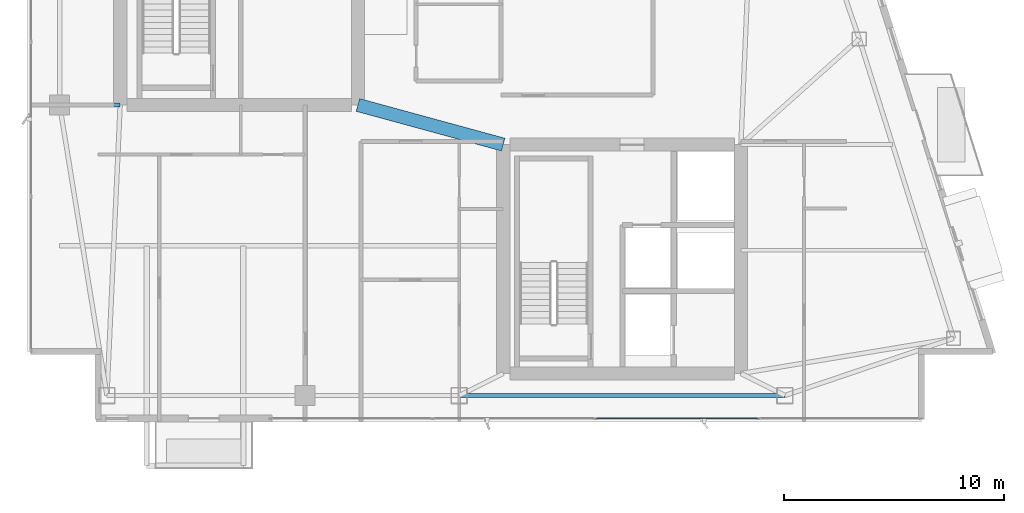
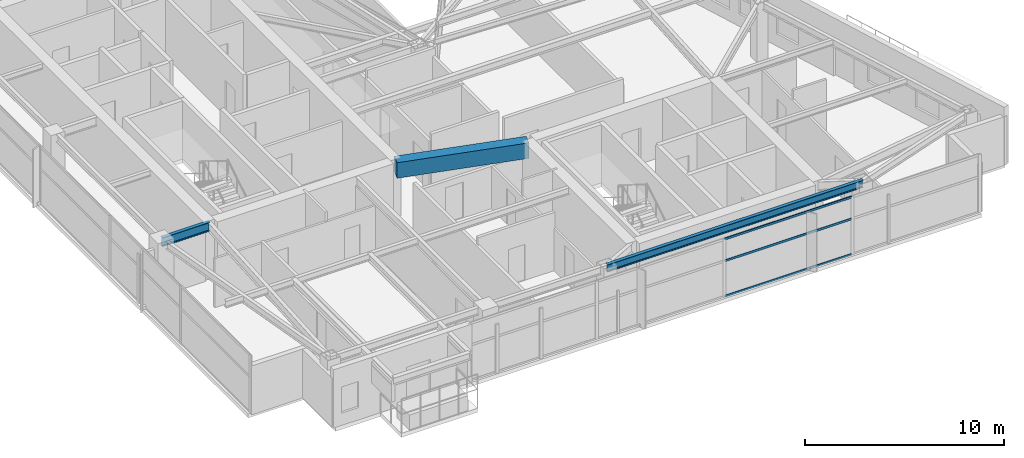
# One storey, part 8 of 28: 3 beams, 3 members, 1 element without a shape of its own.
"""IFC4 building model written with IfcOpenShell, lengths in metres."""

from ifc_helpers import new_model, si_unit, direction, frame, origin, origin_2d, place, context, subcontext, project, spatial, rectangle, hollow_rectangle, i_section, extrude, material, layer, layer_set, material_profile, profile_set, type_object, element, aggregate, save


model = new_model("IFC4")

# Units and contexts
model_context = context("Model", 3, precision=1e-05, world=origin(), true_north=direction((0.0, 1.0)))
body_context = subcontext(model_context, "Body", "Model", "MODEL_VIEW")
ifc_project = project(units=[si_unit("LENGTHUNIT", "METRE"), si_unit("AREAUNIT", "SQUARE_METRE"), si_unit("VOLUMEUNIT", "CUBIC_METRE"), si_unit("PLANEANGLEUNIT", "RADIAN"), si_unit("MASSUNIT", "GRAM", prefix="KILO")], contexts=[model_context])

# Site, building, storey
site_placement = place(None, origin())
site = spatial("IfcSite", under=ifc_project, at=site_placement, CompositionType="ELEMENT")
building_placement = place(site_placement, origin())
building = spatial("IfcBuilding", under=site, at=building_placement, Name="Calvorn Quay Hotel", CompositionType="ELEMENT")
storey_placement = place(building_placement, frame((0.0, 0.0, 274.89990234375)))
storey = spatial("IfcBuildingStorey", under=building, at=storey_placement, Name="L68", CompositionType="ELEMENT", Elevation=274.89990234375)

# Beams
ifc_material_1 = material(Name="Steel Q355B", Category="steel")
ifc_material_profile_1 = material_profile(ifc_material_1, i_section(OverallWidth=0.199951171875, OverallDepth=0.550048828125, WebThickness=0.010009765625, FlangeThickness=0.01611328125, FilletRadius=0.01806640625, at=origin_2d()), Name="HN550x200x10x16")
ifc_profile_set_1 = profile_set([ifc_material_profile_1], Name="Steel Q355B")
beam_type_1 = type_object("IfcBeamType", Name="BM-GIRD-UPP", PredefinedType="BEAM", material=ifc_profile_set_1)
beam_1_placement = place(storey_placement, frame((1.449951171875, 16.800048828125, 3.26513671875), z_axis=(1.0, 0.0, 0.0), x_axis=(0.0, 1.0, 0.0)))
element("IfcBeam", 1, at=beam_1_placement, inside=storey, type_object=beam_type_1, Name="Beam BG-L68-W1", PredefinedType="BEAM", context=body_context, shape_type="SweptSolid", body=[
    extrude(i_section(OverallWidth=0.199951171875, OverallDepth=0.550048828125, WebThickness=0.010009765625, FlangeThickness=0.01611328125, FilletRadius=0.01806640625, at=origin_2d()), origin(), (0.0, 0.0, 1.0), 2.75),
])
ifc_material_2 = material(Name="Concrete C45", Category="concrete")
ifc_material_profile_2 = material_profile(ifc_material_2, rectangle(XDim=0.60009765625, YDim=0.949951171875, at=origin_2d()), Name="RCB600x950")
ifc_profile_set_2 = profile_set([ifc_material_profile_2], Name="Concrete C45")
beam_type_2 = type_object("IfcBeamType", Name="BM-RC-LINK-600x950", PredefinedType="BEAM", material=ifc_profile_set_2)
beam_2_placement = place(storey_placement, frame((15.0, 16.800048828125, 3.065185546875), z_axis=(0.964762997686, -0.263120425462, 0.0), x_axis=(0.263120425462, 0.964762997686, 0.0)))
element("IfcBeam", 2, at=beam_2_placement, inside=storey, type_object=beam_type_2, Name="Beam BCL-L68-01", PredefinedType="BEAM", context=body_context, shape_type="SweptSolid", body=[
    extrude(rectangle(XDim=0.60009765625, YDim=0.949951171875, at=origin_2d()), origin(), (0.0, 0.0, 1.0), 6.841064453125),
])
ifc_material_3 = material(Name="Steel Q355B", Category="steel")
ifc_material_profile_3 = material_profile(ifc_material_3, i_section(OverallWidth=0.199951171875, OverallDepth=0.449951171875, WebThickness=0.009033203125, FlangeThickness=0.013916015625, FilletRadius=0.01611328125, at=origin_2d()), Name="HN450x200x9x14")
ifc_profile_set_3 = profile_set([ifc_material_profile_3], Name="Steel Q355B")
beam_type_3 = type_object("IfcBeamType", Name="BM-SPANDREL-Z3", PredefinedType="SPANDREL", material=ifc_profile_set_3)
beam_3_placement = place(storey_placement, frame((19.60009765625, 3.60009765625, 3.315185546875), z_axis=(1.0, 0.0, 0.0), x_axis=(0.0, 1.0, 0.0)))
element("IfcBeam", 3, at=beam_3_placement, inside=storey, type_object=beam_type_3, Name="Beam BSP-L68-S3", PredefinedType="SPANDREL", context=body_context, shape_type="SweptSolid", body=[
    extrude(i_section(OverallWidth=0.199951171875, OverallDepth=0.449951171875, WebThickness=0.009033203125, FlangeThickness=0.013916015625, FilletRadius=0.01611328125, at=origin_2d()), origin(), (0.0, 0.0, 1.0), 14.7998046875),
])

# Curtain wall, members
ifc_material_4 = material(Name="Champagne Bronze Anodised Aluminium and Low-E Glass", Category="aluminium")
ifc_layer = layer(ifc_material_4, 0.219970703125)
ifc_layer_set = layer_set([ifc_layer], Name="CW-SYS-Z4")
curtain_wall_type = type_object("IfcCurtainWallType", Name="CW-SYS-Z4", PredefinedType="NOTDEFINED", material=ifc_layer_set)
curtain_wall_placement = place(storey_placement, origin())
curtain_wall = element("IfcCurtainWall", 4, at=curtain_wall_placement, inside=storey, type_object=curtain_wall_type, Name="Tower South Waterfront Curtain Wall (L68)", PredefinedType="NOTDEFINED")
ifc_material_5 = material(Name="Champagne Bronze Anodised Aluminium 6063-T6", Category="aluminium")
ifc_material_profile_4 = material_profile(ifc_material_5, hollow_rectangle(XDim=0.054931640625, YDim=0.1298828125, WallThickness=0.003173828125, at=origin_2d()), Name="ALU-T130x55x3.2")
ifc_profile_set_4 = profile_set([ifc_material_profile_4], Name="Champagne Bronze Anodised Aluminium 6063-T6")
member_type = type_object("IfcMemberType", Name="CW-SYS-Z4-TRN", PredefinedType="USERDEFINED", material=ifc_profile_set_4)
member_1_placement = place(storey_placement, frame((25.830078125, 2.550048828125, 0.030029296875), z_axis=(1.0, 0.0, 0.0), x_axis=(0.0, 1.0, 0.0)))
member_1 = element("IfcMember", 5, at=member_1_placement, type_object=member_type, Name="CW-L68-S transom 3.1", ObjectType="TRANSOM", PredefinedType="USERDEFINED", context=body_context, shape_type="SweptSolid", body=[
    extrude(hollow_rectangle(XDim=0.054931640625, YDim=0.1298828125, WallThickness=0.003173828125, at=origin_2d()), origin(), (0.0, 0.0, 1.0), 7.33984375),
])
member_2_placement = place(storey_placement, frame((25.830078125, 2.550048828125, 2.2001953125), z_axis=(1.0, 0.0, 0.0), x_axis=(0.0, 1.0, 0.0)))
member_2 = element("IfcMember", 6, at=member_2_placement, type_object=member_type, Name="CW-L68-S transom 3.2", ObjectType="TRANSOM", PredefinedType="USERDEFINED", context=body_context, shape_type="SweptSolid", body=[
    extrude(hollow_rectangle(XDim=0.054931640625, YDim=0.1298828125, WallThickness=0.003173828125, at=origin_2d()), origin(), (0.0, 0.0, 1.0), 7.33984375),
])
member_3_placement = place(storey_placement, frame((25.830078125, 2.550048828125, 3.530029296875), z_axis=(1.0, 0.0, 0.0), x_axis=(0.0, 1.0, 0.0)))
member_3 = element("IfcMember", 7, at=member_3_placement, type_object=member_type, Name="CW-L68-S transom 3.3", ObjectType="TRANSOM", PredefinedType="USERDEFINED", context=body_context, shape_type="SweptSolid", body=[
    extrude(hollow_rectangle(XDim=0.054931640625, YDim=0.1298828125, WallThickness=0.003173828125, at=origin_2d()), origin(), (0.0, 0.0, 1.0), 7.33984375),
])
aggregate(curtain_wall, [member_1, member_2, member_3])

save(model, "model.ifc")
